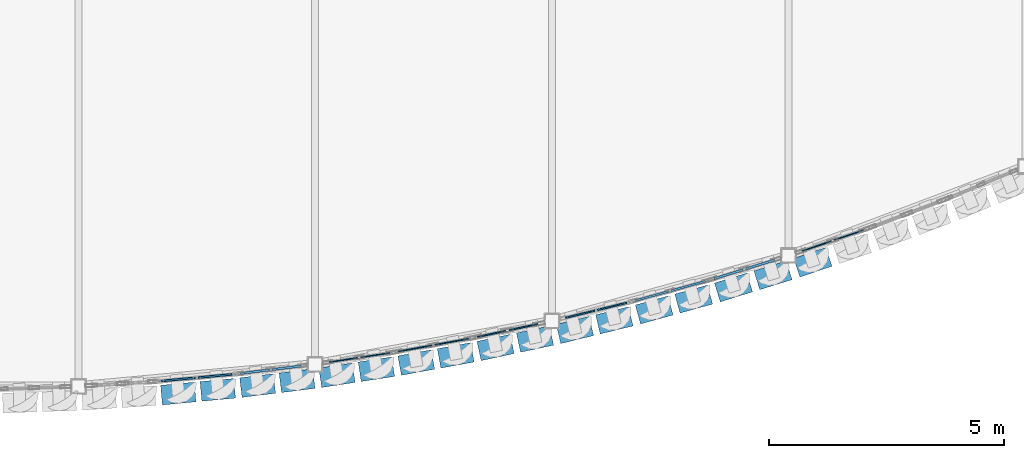
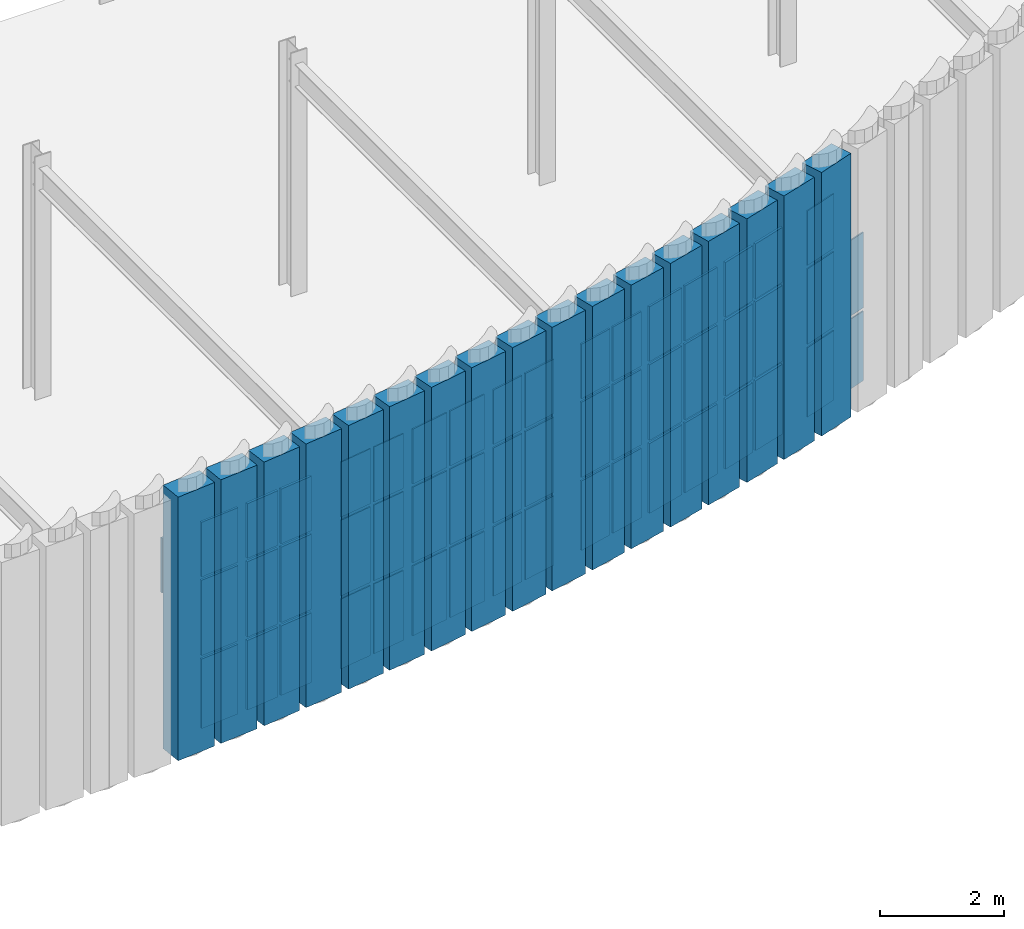
# One storey, part 90 of 126: 68 plates, 9 elements without a shape of their own.
"""IFC4 building model written with IfcOpenShell, lengths in metres."""

from ifc_helpers import new_model, si_unit, direction, frame, origin, origin_2d, place, context, subcontext, project, spatial, rectangle, extrude, material, layer, layer_set, type_object, element, aggregate, save


model = new_model("IFC4")

# Units and contexts
model_context = context("Model", 3, precision=1e-05, world=origin(), true_north=direction((0.0, 1.0)))
body_context = subcontext(model_context, "Body", "Model", "MODEL_VIEW")
ifc_project = project(units=[si_unit("LENGTHUNIT", "METRE"), si_unit("AREAUNIT", "SQUARE_METRE"), si_unit("VOLUMEUNIT", "CUBIC_METRE"), si_unit("PLANEANGLEUNIT", "RADIAN"), si_unit("MASSUNIT", "GRAM", prefix="KILO")], contexts=[model_context])

# Site, building, storey
site_placement = place(None, origin())
site = spatial("IfcSite", under=ifc_project, at=site_placement, CompositionType="ELEMENT")
building_placement = place(site_placement, origin())
building = spatial("IfcBuilding", under=site, at=building_placement, Name="Solvadek Multi-Sports Hall", CompositionType="ELEMENT")
storey_placement = place(building_placement, frame((0.0, 0.0, 9.60009765625)))
storey = spatial("IfcBuildingStorey", under=building, at=storey_placement, Name="L02", CompositionType="ELEMENT", Elevation=9.60009765625)

# Curtain wall, plates
ifc_material_1 = material(Name="Anodised aluminium", Category="aluminium")
ifc_layer_1 = layer(ifc_material_1, 0.159912109375, Name="Anodised aluminium")
ifc_layer_set_1 = layer_set([ifc_layer_1], Name="Anodised aluminium")
curtain_wall_type_1 = type_object("IfcCurtainWallType", Name="ENV-CW-143X420", PredefinedType="USERDEFINED", material=ifc_layer_set_1)
curtain_wall_1_placement = place(storey_placement, origin())
curtain_wall_1 = element("IfcCurtainWall", 1, at=curtain_wall_1_placement, inside=storey, type_object=curtain_wall_type_1, Name="L02 Crescent Curved Curtain Wall #74", ObjectType="CURTAIN WALL", PredefinedType="USERDEFINED")
ifc_material_2 = material(Name="Tempered laminated low-E glass", Category="glass")
ifc_layer_2 = layer(ifc_material_2, 0.02392578125, Name="Tempered laminated low-E glass")
ifc_layer_set_2 = layer_set([ifc_layer_2], Name="Tempered laminated low-E glass")
plate_type_1 = type_object("IfcPlateType", Name="ENV-CWP-01", PredefinedType="CURTAIN_PANEL", material=ifc_layer_set_2)
plate_1_placement = place(storey_placement, frame((102.126708984375, -12.566162109375, 0.06005859375), z_axis=(0.0, 0.0, 1.0), x_axis=(0.98860028031, 0.150563892653, 0.0)))
plate_1 = element("IfcPlate", 2, at=plate_1_placement, type_object=plate_type_1, Name="CW-26 panel 1.1", PredefinedType="CURTAIN_PANEL", context=body_context, shape_type="SweptSolid", body=[
    extrude(rectangle(XDim=0.6171875, YDim=0.02392578125, at=origin_2d()), origin(), (0.0, 0.0, 1.0), 1.3798828125),
])
plate_2_placement = place(storey_placement, frame((102.126708984375, -12.566162109375, 1.5), z_axis=(0.0, 0.0, 1.0), x_axis=(0.98860028031, 0.150563892653, 0.0)))
plate_2 = element("IfcPlate", 3, at=plate_2_placement, type_object=plate_type_1, Name="CW-26 panel 1.2", PredefinedType="CURTAIN_PANEL", context=body_context, shape_type="SweptSolid", body=[
    extrude(rectangle(XDim=0.6171875, YDim=0.02392578125, at=origin_2d()), origin(), (0.0, 0.0, 1.0), 1.493896484375),
])
plate_3_placement = place(storey_placement, frame((102.126708984375, -12.566162109375, 3.053955078125), z_axis=(0.0, 0.0, 1.0), x_axis=(0.98860028031, 0.150563892653, 0.0)))
plate_3 = element("IfcPlate", 4, at=plate_3_placement, type_object=plate_type_1, Name="CW-26 panel 1.3", PredefinedType="CURTAIN_PANEL", context=body_context, shape_type="SweptSolid", body=[
    extrude(rectangle(XDim=0.6171875, YDim=0.02392578125, at=origin_2d()), origin(), (0.0, 0.0, 1.0), 1.0859375),
])
plate_4_placement = place(storey_placement, frame((102.801025390625, -12.463623046875, 0.06005859375), z_axis=(0.0, 0.0, 1.0), x_axis=(0.98860028031, 0.150563892653, 0.0)))
plate_4 = element("IfcPlate", 5, at=plate_4_placement, type_object=plate_type_1, Name="CW-26 panel 2.1", PredefinedType="CURTAIN_PANEL", context=body_context, shape_type="SweptSolid", body=[
    extrude(rectangle(XDim=0.6171875, YDim=0.02392578125, at=origin_2d()), origin(), (0.0, 0.0, 1.0), 1.3798828125),
])
plate_5_placement = place(storey_placement, frame((102.801025390625, -12.463623046875, 1.5), z_axis=(0.0, 0.0, 1.0), x_axis=(0.98860028031, 0.150563892653, 0.0)))
plate_5 = element("IfcPlate", 6, at=plate_5_placement, type_object=plate_type_1, Name="CW-26 panel 2.2", PredefinedType="CURTAIN_PANEL", context=body_context, shape_type="SweptSolid", body=[
    extrude(rectangle(XDim=0.6171875, YDim=0.02392578125, at=origin_2d()), origin(), (0.0, 0.0, 1.0), 1.493896484375),
])
plate_6_placement = place(storey_placement, frame((102.801025390625, -12.463623046875, 3.053955078125), z_axis=(0.0, 0.0, 1.0), x_axis=(0.98860028031, 0.150563892653, 0.0)))
plate_6 = element("IfcPlate", 7, at=plate_6_placement, type_object=plate_type_1, Name="CW-26 panel 2.3", PredefinedType="CURTAIN_PANEL", context=body_context, shape_type="SweptSolid", body=[
    extrude(rectangle(XDim=0.6171875, YDim=0.02392578125, at=origin_2d()), origin(), (0.0, 0.0, 1.0), 1.0859375),
])
aggregate(curtain_wall_1, [plate_1, plate_2, plate_3, plate_4, plate_5, plate_6])

ifc_layer_3 = layer(ifc_material_1, 0.159912109375, Name="Anodised aluminium")
ifc_layer_set_3 = layer_set([ifc_layer_3], Name="Anodised aluminium")
curtain_wall_type_2 = type_object("IfcCurtainWallType", Name="ENV-CW-151X420", PredefinedType="USERDEFINED", material=ifc_layer_set_3)
curtain_wall_2_placement = place(storey_placement, origin())
curtain_wall_2 = element("IfcCurtainWall", 8, at=curtain_wall_2_placement, inside=storey, type_object=curtain_wall_type_2, Name="L02 Crescent Curved Curtain Wall #86", ObjectType="CURTAIN WALL", PredefinedType="USERDEFINED")
plate_7_placement = place(storey_placement, frame((112.198486328125, -10.1416015625, 0.06494140625), z_axis=(0.0, 0.0, 1.0), x_axis=(0.946149530611, 0.323729927138, 0.0)))
plate_7 = element("IfcPlate", 9, at=plate_7_placement, type_object=plate_type_1, Name="CW-20 panel 1.1", PredefinedType="CURTAIN_PANEL", context=body_context, shape_type="SweptSolid", body=[
    extrude(rectangle(XDim=0.6552734375, YDim=0.02392578125, at=origin_2d()), origin(), (0.0, 0.0, 1.0), 1.37255859375),
])
plate_8_placement = place(storey_placement, frame((112.198486328125, -10.1416015625, 1.50244140625), z_axis=(0.0, 0.0, 1.0), x_axis=(0.946149530611, 0.323729927138, 0.0)))
plate_8 = element("IfcPlate", 10, at=plate_8_placement, type_object=plate_type_1, Name="CW-20 panel 1.2", PredefinedType="CURTAIN_PANEL", context=body_context, shape_type="SweptSolid", body=[
    extrude(rectangle(XDim=0.6552734375, YDim=0.02392578125, at=origin_2d()), origin(), (0.0, 0.0, 1.0), 1.489013671875),
])
plate_9_placement = place(storey_placement, frame((112.198486328125, -10.1416015625, 3.056396484375), z_axis=(0.0, 0.0, 1.0), x_axis=(0.946149530611, 0.323729927138, 0.0)))
plate_9 = element("IfcPlate", 11, at=plate_9_placement, type_object=plate_type_1, Name="CW-20 panel 1.3", PredefinedType="CURTAIN_PANEL", context=body_context, shape_type="SweptSolid", body=[
    extrude(rectangle(XDim=0.6552734375, YDim=0.02392578125, at=origin_2d()), origin(), (0.0, 0.0, 1.0), 1.07861328125),
])
plate_10_placement = place(storey_placement, frame((112.880126953125, -9.908447265625, 0.06494140625), z_axis=(0.0, 0.0, 1.0), x_axis=(0.946149530611, 0.323729927138, 0.0)))
plate_10 = element("IfcPlate", 12, at=plate_10_placement, type_object=plate_type_1, Name="CW-20 panel 2.1", PredefinedType="CURTAIN_PANEL", context=body_context, shape_type="SweptSolid", body=[
    extrude(rectangle(XDim=0.6552734375, YDim=0.02392578125, at=origin_2d()), origin(), (0.0, 0.0, 1.0), 1.37255859375),
])
plate_11_placement = place(storey_placement, frame((112.880126953125, -9.908447265625, 1.50244140625), z_axis=(0.0, 0.0, 1.0), x_axis=(0.946149530611, 0.323729927138, 0.0)))
plate_11 = element("IfcPlate", 13, at=plate_11_placement, type_object=plate_type_1, Name="CW-20 panel 2.2", PredefinedType="CURTAIN_PANEL", context=body_context, shape_type="SweptSolid", body=[
    extrude(rectangle(XDim=0.6552734375, YDim=0.02392578125, at=origin_2d()), origin(), (0.0, 0.0, 1.0), 1.489013671875),
])
aggregate(curtain_wall_2, [plate_7, plate_8, plate_9, plate_10, plate_11])

ifc_layer_4 = layer(ifc_material_1, 0.159912109375, Name="Anodised aluminium")
ifc_layer_set_4 = layer_set([ifc_layer_4], Name="Anodised aluminium")
curtain_wall_type_3 = type_object("IfcCurtainWallType", Name="ENV-CW-165X420", PredefinedType="USERDEFINED", material=ifc_layer_set_4)
curtain_wall_3_placement = place(storey_placement, origin())
curtain_wall_3 = element("IfcCurtainWall", 14, at=curtain_wall_3_placement, inside=storey, type_object=curtain_wall_type_3, Name="L02 Crescent Curved Curtain Wall #76", ObjectType="CURTAIN WALL", PredefinedType="USERDEFINED")
ifc_layer_5 = layer(ifc_material_2, 0.028076171875, Name="Tempered laminated low-E glass")
ifc_layer_set_5 = layer_set([ifc_layer_5], Name="Tempered laminated low-E glass")
plate_type_2 = type_object("IfcPlateType", Name="ENV-CWP-02", PredefinedType="CURTAIN_PANEL", material=ifc_layer_set_5)
plate_12_placement = place(storey_placement, frame((103.650634765625, -12.320556640625, 0.06005859375), z_axis=(0.0, 0.0, 1.0), x_axis=(0.983776557461, 0.17939811869, 0.0)))
plate_12 = element("IfcPlate", 15, at=plate_12_placement, type_object=plate_type_2, Name="CW-25 panel 1.1", PredefinedType="CURTAIN_PANEL", context=body_context, shape_type="SweptSolid", body=[
    extrude(rectangle(XDim=0.726318359375, YDim=0.028076171875, at=origin_2d()), origin(), (0.0, 0.0, 1.0), 1.3798828125),
])
plate_13_placement = place(storey_placement, frame((103.650634765625, -12.320556640625, 1.5), z_axis=(0.0, 0.0, 1.0), x_axis=(0.983776557461, 0.17939811869, 0.0)))
plate_13 = element("IfcPlate", 16, at=plate_13_placement, type_object=plate_type_2, Name="CW-25 panel 1.2", PredefinedType="CURTAIN_PANEL", context=body_context, shape_type="SweptSolid", body=[
    extrude(rectangle(XDim=0.726318359375, YDim=0.028076171875, at=origin_2d()), origin(), (0.0, 0.0, 1.0), 1.493896484375),
])
plate_14_placement = place(storey_placement, frame((103.650634765625, -12.320556640625, 3.053955078125), z_axis=(0.0, 0.0, 1.0), x_axis=(0.983776557461, 0.17939811869, 0.0)))
plate_14 = element("IfcPlate", 17, at=plate_14_placement, type_object=plate_type_2, Name="CW-25 panel 1.3", PredefinedType="CURTAIN_PANEL", context=body_context, shape_type="SweptSolid", body=[
    extrude(rectangle(XDim=0.726318359375, YDim=0.028076171875, at=origin_2d()), origin(), (0.0, 0.0, 1.0), 1.0859375),
])
plate_15_placement = place(storey_placement, frame((104.42919921875, -12.1787109375, 0.06005859375), z_axis=(0.0, 0.0, 1.0), x_axis=(0.983776557461, 0.17939811869, 0.0)))
plate_15 = element("IfcPlate", 18, at=plate_15_placement, type_object=plate_type_2, Name="CW-25 panel 2.1", PredefinedType="CURTAIN_PANEL", context=body_context, shape_type="SweptSolid", body=[
    extrude(rectangle(XDim=0.726318359375, YDim=0.028076171875, at=origin_2d()), origin(), (0.0, 0.0, 1.0), 1.3798828125),
])
plate_16_placement = place(storey_placement, frame((104.42919921875, -12.1787109375, 1.5), z_axis=(0.0, 0.0, 1.0), x_axis=(0.983776557461, 0.17939811869, 0.0)))
plate_16 = element("IfcPlate", 19, at=plate_16_placement, type_object=plate_type_2, Name="CW-25 panel 2.2", PredefinedType="CURTAIN_PANEL", context=body_context, shape_type="SweptSolid", body=[
    extrude(rectangle(XDim=0.726318359375, YDim=0.028076171875, at=origin_2d()), origin(), (0.0, 0.0, 1.0), 1.493896484375),
])
plate_17_placement = place(storey_placement, frame((104.42919921875, -12.1787109375, 3.053955078125), z_axis=(0.0, 0.0, 1.0), x_axis=(0.983776557461, 0.17939811869, 0.0)))
plate_17 = element("IfcPlate", 20, at=plate_17_placement, type_object=plate_type_2, Name="CW-25 panel 2.3", PredefinedType="CURTAIN_PANEL", context=body_context, shape_type="SweptSolid", body=[
    extrude(rectangle(XDim=0.726318359375, YDim=0.028076171875, at=origin_2d()), origin(), (0.0, 0.0, 1.0), 1.0859375),
])
aggregate(curtain_wall_3, [plate_12, plate_13, plate_14, plate_15, plate_16, plate_17])

ifc_layer_6 = layer(ifc_material_1, 0.159912109375, Name="Anodised aluminium")
ifc_layer_set_6 = layer_set([ifc_layer_6], Name="Anodised aluminium")
curtain_wall_type_4 = type_object("IfcCurtainWallType", Name="ENV-CW-145X420", PredefinedType="USERDEFINED", material=ifc_layer_set_6)
curtain_wall_4_placement = place(storey_placement, origin())
curtain_wall_4 = element("IfcCurtainWall", 21, at=curtain_wall_4_placement, inside=storey, type_object=curtain_wall_type_4, Name="L02 Crescent Curved Curtain Wall #78", ObjectType="CURTAIN WALL", PredefinedType="USERDEFINED")
ifc_layer_7 = layer(ifc_material_2, 0.031982421875, Name="Tempered laminated low-E glass")
ifc_layer_set_7 = layer_set([ifc_layer_7], Name="Tempered laminated low-E glass")
plate_type_3 = type_object("IfcPlateType", Name="ENV-CWP-03", PredefinedType="CURTAIN_PANEL", material=ifc_layer_set_7)
plate_18_placement = place(storey_placement, frame((105.280517578125, -12.01123046875, 0.06494140625), z_axis=(0.0, 0.0, 1.0), x_axis=(0.978074507403, 0.208255271166, 0.0)))
plate_18 = element("IfcPlate", 22, at=plate_18_placement, type_object=plate_type_3, Name="CW-24 panel 1.1", PredefinedType="CURTAIN_PANEL", context=body_context, shape_type="SweptSolid", body=[
    extrude(rectangle(XDim=0.618896484375, YDim=0.031982421875, at=origin_2d()), origin(), (0.0, 0.0, 1.0), 1.37255859375),
])
plate_19_placement = place(storey_placement, frame((105.280517578125, -12.01123046875, 1.50244140625), z_axis=(0.0, 0.0, 1.0), x_axis=(0.978074507403, 0.208255271166, 0.0)))
plate_19 = element("IfcPlate", 23, at=plate_19_placement, type_object=plate_type_3, Name="CW-24 panel 1.2", PredefinedType="CURTAIN_PANEL", context=body_context, shape_type="SweptSolid", body=[
    extrude(rectangle(XDim=0.618896484375, YDim=0.031982421875, at=origin_2d()), origin(), (0.0, 0.0, 1.0), 1.489013671875),
])
plate_20_placement = place(storey_placement, frame((105.280517578125, -12.01123046875, 3.056396484375), z_axis=(0.0, 0.0, 1.0), x_axis=(0.978074507403, 0.208255271166, 0.0)))
plate_20 = element("IfcPlate", 24, at=plate_20_placement, type_object=plate_type_3, Name="CW-24 panel 1.3", PredefinedType="CURTAIN_PANEL", context=body_context, shape_type="SweptSolid", body=[
    extrude(rectangle(XDim=0.618896484375, YDim=0.031982421875, at=origin_2d()), origin(), (0.0, 0.0, 1.0), 1.07861328125),
])
plate_21_placement = place(storey_placement, frame((105.9541015625, -11.86767578125, 0.06494140625), z_axis=(0.0, 0.0, 1.0), x_axis=(0.978074507403, 0.208255271166, 0.0)))
plate_21 = element("IfcPlate", 25, at=plate_21_placement, type_object=plate_type_3, Name="CW-24 panel 2.1", PredefinedType="CURTAIN_PANEL", context=body_context, shape_type="SweptSolid", body=[
    extrude(rectangle(XDim=0.618896484375, YDim=0.031982421875, at=origin_2d()), origin(), (0.0, 0.0, 1.0), 1.37255859375),
])
plate_22_placement = place(storey_placement, frame((105.9541015625, -11.86767578125, 1.50244140625), z_axis=(0.0, 0.0, 1.0), x_axis=(0.978074507403, 0.208255271166, 0.0)))
plate_22 = element("IfcPlate", 26, at=plate_22_placement, type_object=plate_type_3, Name="CW-24 panel 2.2", PredefinedType="CURTAIN_PANEL", context=body_context, shape_type="SweptSolid", body=[
    extrude(rectangle(XDim=0.618896484375, YDim=0.031982421875, at=origin_2d()), origin(), (0.0, 0.0, 1.0), 1.489013671875),
])
plate_23_placement = place(storey_placement, frame((105.9541015625, -11.86767578125, 3.056396484375), z_axis=(0.0, 0.0, 1.0), x_axis=(0.978074507403, 0.208255271166, 0.0)))
plate_23 = element("IfcPlate", 27, at=plate_23_placement, type_object=plate_type_3, Name="CW-24 panel 2.3", PredefinedType="CURTAIN_PANEL", context=body_context, shape_type="SweptSolid", body=[
    extrude(rectangle(XDim=0.618896484375, YDim=0.031982421875, at=origin_2d()), origin(), (0.0, 0.0, 1.0), 1.07861328125),
])
aggregate(curtain_wall_4, [plate_18, plate_19, plate_20, plate_21, plate_22, plate_23])

ifc_layer_8 = layer(ifc_material_1, 0.159912109375, Name="Anodised aluminium")
ifc_layer_set_8 = layer_set([ifc_layer_8], Name="Anodised aluminium")
curtain_wall_type_5 = type_object("IfcCurtainWallType", Name="ENV-CW-146X420", PredefinedType="USERDEFINED", material=ifc_layer_set_8)
curtain_wall_5_placement = place(storey_placement, origin())
curtain_wall_5 = element("IfcCurtainWall", 28, at=curtain_wall_5_placement, inside=storey, type_object=curtain_wall_type_5, Name="L02 Crescent Curved Curtain Wall #80", ObjectType="CURTAIN WALL", PredefinedType="USERDEFINED")
ifc_layer_9 = layer(ifc_material_2, 0.035888671875, Name="Tempered laminated low-E glass")
ifc_layer_set_9 = layer_set([ifc_layer_9], Name="Tempered laminated low-E glass")
plate_type_4 = type_object("IfcPlateType", Name="ENV-CWP-04", PredefinedType="CURTAIN_PANEL", material=ifc_layer_set_9)
plate_24_placement = place(storey_placement, frame((107.162109375, -11.591796875, 0.06494140625), z_axis=(0.0, 0.0, 1.0), x_axis=(0.971469914267, 0.237162825236, 0.0)))
plate_24 = element("IfcPlate", 29, at=plate_24_placement, type_object=plate_type_4, Name="CW-23 panel 1.1", PredefinedType="CURTAIN_PANEL", context=body_context, shape_type="SweptSolid", body=[
    extrude(rectangle(XDim=0.6396484375, YDim=0.035888671875, at=origin_2d()), origin(), (0.0, 0.0, 1.0), 1.37255859375),
])
plate_25_placement = place(storey_placement, frame((107.162109375, -11.591796875, 1.50244140625), z_axis=(0.0, 0.0, 1.0), x_axis=(0.971469914267, 0.237162825236, 0.0)))
plate_25 = element("IfcPlate", 30, at=plate_25_placement, type_object=plate_type_4, Name="CW-23 panel 1.2", PredefinedType="CURTAIN_PANEL", context=body_context, shape_type="SweptSolid", body=[
    extrude(rectangle(XDim=0.6396484375, YDim=0.035888671875, at=origin_2d()), origin(), (0.0, 0.0, 1.0), 1.489013671875),
])
plate_26_placement = place(storey_placement, frame((107.162109375, -11.591796875, 3.056396484375), z_axis=(0.0, 0.0, 1.0), x_axis=(0.971469914267, 0.237162825236, 0.0)))
plate_26 = element("IfcPlate", 31, at=plate_26_placement, type_object=plate_type_4, Name="CW-23 panel 1.3", PredefinedType="CURTAIN_PANEL", context=body_context, shape_type="SweptSolid", body=[
    extrude(rectangle(XDim=0.6396484375, YDim=0.035888671875, at=origin_2d()), origin(), (0.0, 0.0, 1.0), 1.07861328125),
])
plate_27_placement = place(storey_placement, frame((107.841796875, -11.42578125, 0.06494140625), z_axis=(0.0, 0.0, 1.0), x_axis=(0.971469914267, 0.237162825236, 0.0)))
plate_27 = element("IfcPlate", 32, at=plate_27_placement, type_object=plate_type_4, Name="CW-23 panel 2.1", PredefinedType="CURTAIN_PANEL", context=body_context, shape_type="SweptSolid", body=[
    extrude(rectangle(XDim=0.6396484375, YDim=0.035888671875, at=origin_2d()), origin(), (0.0, 0.0, 1.0), 1.37255859375),
])
plate_28_placement = place(storey_placement, frame((107.841796875, -11.42578125, 1.50244140625), z_axis=(0.0, 0.0, 1.0), x_axis=(0.971469914267, 0.237162825236, 0.0)))
plate_28 = element("IfcPlate", 33, at=plate_28_placement, type_object=plate_type_4, Name="CW-23 panel 2.2", PredefinedType="CURTAIN_PANEL", context=body_context, shape_type="SweptSolid", body=[
    extrude(rectangle(XDim=0.6396484375, YDim=0.035888671875, at=origin_2d()), origin(), (0.0, 0.0, 1.0), 1.489013671875),
])
plate_29_placement = place(storey_placement, frame((107.841796875, -11.42578125, 3.056396484375), z_axis=(0.0, 0.0, 1.0), x_axis=(0.971469914267, 0.237162825236, 0.0)))
plate_29 = element("IfcPlate", 34, at=plate_29_placement, type_object=plate_type_4, Name="CW-23 panel 2.3", PredefinedType="CURTAIN_PANEL", context=body_context, shape_type="SweptSolid", body=[
    extrude(rectangle(XDim=0.6396484375, YDim=0.035888671875, at=origin_2d()), origin(), (0.0, 0.0, 1.0), 1.07861328125),
])
aggregate(curtain_wall_5, [plate_24, plate_25, plate_26, plate_27, plate_28, plate_29])

ifc_layer_10 = layer(ifc_material_1, 0.159912109375, Name="Anodised aluminium")
ifc_layer_set_10 = layer_set([ifc_layer_10], Name="Anodised aluminium")
curtain_wall_type_6 = type_object("IfcCurtainWallType", Name="ENV-CW-163X420", PredefinedType="USERDEFINED", material=ifc_layer_set_10)
curtain_wall_6_placement = place(storey_placement, origin())
curtain_wall_6 = element("IfcCurtainWall", 35, at=curtain_wall_6_placement, inside=storey, type_object=curtain_wall_type_6, Name="L02 Crescent Curved Curtain Wall #70", ObjectType="CURTAIN WALL", PredefinedType="USERDEFINED")
ifc_layer_11 = layer(ifc_material_2, 0.0419921875, Name="Tempered laminated low-E glass")
ifc_layer_set_11 = layer_set([ifc_layer_11], Name="Tempered laminated low-E glass")
plate_type_5 = type_object("IfcPlateType", Name="ENV-CWP-05", PredefinedType="CURTAIN_PANEL", material=ifc_layer_set_11)
plate_30_placement = place(storey_placement, frame((98.60986328125, -12.979248046875, 3.056396484375), z_axis=(0.0, 0.0, 1.0), x_axis=(0.995685120678, 0.092796230852, 0.0)))
plate_30 = element("IfcPlate", 36, at=plate_30_placement, type_object=plate_type_5, Name="CW-15 panel 1.3", PredefinedType="CURTAIN_PANEL", context=body_context, shape_type="SweptSolid", body=[
    extrude(rectangle(XDim=0.7236328125, YDim=0.0419921875, at=origin_2d()), origin(), (0.0, 0.0, 1.0), 1.07861328125),
])
plate_31_placement = place(storey_placement, frame((99.39013671875, -12.906494140625, 0.06494140625), z_axis=(0.0, 0.0, 1.0), x_axis=(0.995685120678, 0.092796230852, 0.0)))
plate_31 = element("IfcPlate", 37, at=plate_31_placement, type_object=plate_type_5, Name="CW-15 panel 2.1", PredefinedType="CURTAIN_PANEL", context=body_context, shape_type="SweptSolid", body=[
    extrude(rectangle(XDim=0.7236328125, YDim=0.0419921875, at=origin_2d()), origin(), (0.0, 0.0, 1.0), 1.37255859375),
])
plate_32_placement = place(storey_placement, frame((99.39013671875, -12.906494140625, 1.50244140625), z_axis=(0.0, 0.0, 1.0), x_axis=(0.995685120678, 0.092796230852, 0.0)))
plate_32 = element("IfcPlate", 38, at=plate_32_placement, type_object=plate_type_5, Name="CW-15 panel 2.2", PredefinedType="CURTAIN_PANEL", context=body_context, shape_type="SweptSolid", body=[
    extrude(rectangle(XDim=0.7236328125, YDim=0.0419921875, at=origin_2d()), origin(), (0.0, 0.0, 1.0), 1.489013671875),
])
plate_33_placement = place(storey_placement, frame((99.39013671875, -12.906494140625, 3.056396484375), z_axis=(0.0, 0.0, 1.0), x_axis=(0.995685120678, 0.092796230852, 0.0)))
plate_33 = element("IfcPlate", 39, at=plate_33_placement, type_object=plate_type_5, Name="CW-15 panel 2.3", PredefinedType="CURTAIN_PANEL", context=body_context, shape_type="SweptSolid", body=[
    extrude(rectangle(XDim=0.7236328125, YDim=0.0419921875, at=origin_2d()), origin(), (0.0, 0.0, 1.0), 1.07861328125),
])
aggregate(curtain_wall_6, [plate_30, plate_31, plate_32, plate_33])

ifc_layer_12 = layer(ifc_material_1, 0.159912109375, Name="Anodised aluminium")
ifc_layer_set_12 = layer_set([ifc_layer_12], Name="Anodised aluminium")
curtain_wall_type_7 = type_object("IfcCurtainWallType", Name="ENV-CW-168X420", PredefinedType="USERDEFINED", material=ifc_layer_set_12)
curtain_wall_7_placement = place(storey_placement, origin())
curtain_wall_7 = element("IfcCurtainWall", 40, at=curtain_wall_7_placement, inside=storey, type_object=curtain_wall_type_7, Name="L02 Crescent Curved Curtain Wall #82", ObjectType="CURTAIN WALL", PredefinedType="USERDEFINED")
plate_34_placement = place(storey_placement, frame((108.68896484375, -11.20458984375, 0.06005859375), z_axis=(0.0, 0.0, 1.0), x_axis=(0.963977908441, 0.265982315271, 0.0)))
plate_34 = element("IfcPlate", 41, at=plate_34_placement, type_object=plate_type_5, Name="CW-22 panel 1.1", PredefinedType="CURTAIN_PANEL", context=body_context, shape_type="SweptSolid", body=[
    extrude(rectangle(XDim=0.75146484375, YDim=0.0419921875, at=origin_2d()), origin(), (0.0, 0.0, 1.0), 1.3798828125),
])
plate_35_placement = place(storey_placement, frame((108.68896484375, -11.20458984375, 1.5), z_axis=(0.0, 0.0, 1.0), x_axis=(0.963977908441, 0.265982315271, 0.0)))
plate_35 = element("IfcPlate", 42, at=plate_35_placement, type_object=plate_type_5, Name="CW-22 panel 1.2", PredefinedType="CURTAIN_PANEL", context=body_context, shape_type="SweptSolid", body=[
    extrude(rectangle(XDim=0.75146484375, YDim=0.0419921875, at=origin_2d()), origin(), (0.0, 0.0, 1.0), 1.493896484375),
])
plate_36_placement = place(storey_placement, frame((108.68896484375, -11.20458984375, 3.053955078125), z_axis=(0.0, 0.0, 1.0), x_axis=(0.963977908441, 0.265982315271, 0.0)))
plate_36 = element("IfcPlate", 43, at=plate_36_placement, type_object=plate_type_5, Name="CW-22 panel 1.3", PredefinedType="CURTAIN_PANEL", context=body_context, shape_type="SweptSolid", body=[
    extrude(rectangle(XDim=0.75146484375, YDim=0.0419921875, at=origin_2d()), origin(), (0.0, 0.0, 1.0), 1.0859375),
])
plate_37_placement = place(storey_placement, frame((109.47119140625, -10.98876953125, 0.06005859375), z_axis=(0.0, 0.0, 1.0), x_axis=(0.963977908441, 0.265982315271, 0.0)))
plate_37 = element("IfcPlate", 44, at=plate_37_placement, type_object=plate_type_5, Name="CW-22 panel 2.1", PredefinedType="CURTAIN_PANEL", context=body_context, shape_type="SweptSolid", body=[
    extrude(rectangle(XDim=0.75146484375, YDim=0.0419921875, at=origin_2d()), origin(), (0.0, 0.0, 1.0), 1.3798828125),
])
plate_38_placement = place(storey_placement, frame((109.47119140625, -10.98876953125, 1.5), z_axis=(0.0, 0.0, 1.0), x_axis=(0.963977908441, 0.265982315271, 0.0)))
plate_38 = element("IfcPlate", 45, at=plate_38_placement, type_object=plate_type_5, Name="CW-22 panel 2.2", PredefinedType="CURTAIN_PANEL", context=body_context, shape_type="SweptSolid", body=[
    extrude(rectangle(XDim=0.75146484375, YDim=0.0419921875, at=origin_2d()), origin(), (0.0, 0.0, 1.0), 1.493896484375),
])
plate_39_placement = place(storey_placement, frame((109.47119140625, -10.98876953125, 3.053955078125), z_axis=(0.0, 0.0, 1.0), x_axis=(0.963977908441, 0.265982315271, 0.0)))
plate_39 = element("IfcPlate", 46, at=plate_39_placement, type_object=plate_type_5, Name="CW-22 panel 2.3", PredefinedType="CURTAIN_PANEL", context=body_context, shape_type="SweptSolid", body=[
    extrude(rectangle(XDim=0.75146484375, YDim=0.0419921875, at=origin_2d()), origin(), (0.0, 0.0, 1.0), 1.0859375),
])
aggregate(curtain_wall_7, [plate_34, plate_35, plate_36, plate_37, plate_38, plate_39])

ifc_layer_13 = layer(ifc_material_1, 0.159912109375, Name="Anodised aluminium")
ifc_layer_set_13 = layer_set([ifc_layer_13], Name="Anodised aluminium")
curtain_wall_type_8 = type_object("IfcCurtainWallType", Name="ENV-CW-142X420", PredefinedType="USERDEFINED", material=ifc_layer_set_13)
curtain_wall_8_placement = place(storey_placement, origin())
curtain_wall_8 = element("IfcCurtainWall", 47, at=curtain_wall_8_placement, inside=storey, type_object=curtain_wall_type_8, Name="L02 Crescent Curved Curtain Wall #72", ObjectType="CURTAIN WALL", PredefinedType="USERDEFINED")
ifc_layer_14 = layer(ifc_material_2, 0.048095703125, Name="Tempered laminated low-E glass")
ifc_layer_set_14 = layer_set([ifc_layer_14], Name="Tempered laminated low-E glass")
plate_type_6 = type_object("IfcPlateType", Name="ENV-CWP-06", PredefinedType="CURTAIN_PANEL", material=ifc_layer_set_14)
plate_40_placement = place(storey_placement, frame((100.23779296875, -12.81591796875, 0.06494140625), z_axis=(0.0, 0.0, 1.0), x_axis=(0.992569244901, 0.12168111635, 0.0)))
plate_40 = element("IfcPlate", 48, at=plate_40_placement, type_object=plate_type_6, Name="CW-27 panel 1.1", PredefinedType="CURTAIN_PANEL", context=body_context, shape_type="SweptSolid", body=[
    extrude(rectangle(XDim=0.621337890625, YDim=0.048095703125, at=origin_2d()), origin(), (0.0, 0.0, 1.0), 1.37255859375),
])
plate_41_placement = place(storey_placement, frame((100.23779296875, -12.81591796875, 1.50244140625), z_axis=(0.0, 0.0, 1.0), x_axis=(0.992569244901, 0.12168111635, 0.0)))
plate_41 = element("IfcPlate", 49, at=plate_41_placement, type_object=plate_type_6, Name="CW-27 panel 1.2", PredefinedType="CURTAIN_PANEL", context=body_context, shape_type="SweptSolid", body=[
    extrude(rectangle(XDim=0.621337890625, YDim=0.048095703125, at=origin_2d()), origin(), (0.0, 0.0, 1.0), 1.489013671875),
])
plate_42_placement = place(storey_placement, frame((100.23779296875, -12.81591796875, 3.056396484375), z_axis=(0.0, 0.0, 1.0), x_axis=(0.992569244901, 0.12168111635, 0.0)))
plate_42 = element("IfcPlate", 50, at=plate_42_placement, type_object=plate_type_6, Name="CW-27 panel 1.3", PredefinedType="CURTAIN_PANEL", context=body_context, shape_type="SweptSolid", body=[
    extrude(rectangle(XDim=0.621337890625, YDim=0.048095703125, at=origin_2d()), origin(), (0.0, 0.0, 1.0), 1.07861328125),
])
plate_43_placement = place(storey_placement, frame((100.913818359375, -12.73291015625, 0.06494140625), z_axis=(0.0, 0.0, 1.0), x_axis=(0.992569244901, 0.12168111635, 0.0)))
plate_43 = element("IfcPlate", 51, at=plate_43_placement, type_object=plate_type_6, Name="CW-27 panel 2.1", PredefinedType="CURTAIN_PANEL", context=body_context, shape_type="SweptSolid", body=[
    extrude(rectangle(XDim=0.621337890625, YDim=0.048095703125, at=origin_2d()), origin(), (0.0, 0.0, 1.0), 1.37255859375),
])
plate_44_placement = place(storey_placement, frame((100.913818359375, -12.73291015625, 1.50244140625), z_axis=(0.0, 0.0, 1.0), x_axis=(0.992569244901, 0.12168111635, 0.0)))
plate_44 = element("IfcPlate", 52, at=plate_44_placement, type_object=plate_type_6, Name="CW-27 panel 2.2", PredefinedType="CURTAIN_PANEL", context=body_context, shape_type="SweptSolid", body=[
    extrude(rectangle(XDim=0.621337890625, YDim=0.048095703125, at=origin_2d()), origin(), (0.0, 0.0, 1.0), 1.489013671875),
])
plate_45_placement = place(storey_placement, frame((100.913818359375, -12.73291015625, 3.056396484375), z_axis=(0.0, 0.0, 1.0), x_axis=(0.992569244901, 0.12168111635, 0.0)))
plate_45 = element("IfcPlate", 53, at=plate_45_placement, type_object=plate_type_6, Name="CW-27 panel 2.3", PredefinedType="CURTAIN_PANEL", context=body_context, shape_type="SweptSolid", body=[
    extrude(rectangle(XDim=0.621337890625, YDim=0.048095703125, at=origin_2d()), origin(), (0.0, 0.0, 1.0), 1.07861328125),
])
aggregate(curtain_wall_8, [plate_40, plate_41, plate_42, plate_43, plate_44, plate_45])

ifc_layer_15 = layer(ifc_material_1, 0.159912109375, Name="Anodised aluminium")
ifc_layer_set_15 = layer_set([ifc_layer_15], Name="Anodised aluminium")
curtain_wall_type_9 = type_object("IfcCurtainWallType", Name="ENV-CW-149X420", PredefinedType="USERDEFINED", material=ifc_layer_set_15)
curtain_wall_9_placement = place(storey_placement, origin())
curtain_wall_9 = element("IfcCurtainWall", 54, at=curtain_wall_9_placement, inside=storey, type_object=curtain_wall_type_9, Name="L02 Crescent Curved Curtain Wall #84", ObjectType="CURTAIN WALL", PredefinedType="USERDEFINED")
plate_46_placement = place(storey_placement, frame((110.31982421875, -10.74169921875, 0.06005859375), z_axis=(0.0, 0.0, 1.0), x_axis=(0.955521483915, 0.294921504432, 0.0)))
plate_46 = element("IfcPlate", 55, at=plate_46_placement, type_object=plate_type_6, Name="CW-21 panel 1.1", PredefinedType="CURTAIN_PANEL", context=body_context, shape_type="SweptSolid", body=[
    extrude(rectangle(XDim=0.646484375, YDim=0.048095703125, at=origin_2d()), origin(), (0.0, 0.0, 1.0), 1.3798828125),
])
plate_47_placement = place(storey_placement, frame((110.31982421875, -10.74169921875, 1.5), z_axis=(0.0, 0.0, 1.0), x_axis=(0.955521483915, 0.294921504432, 0.0)))
plate_47 = element("IfcPlate", 56, at=plate_47_placement, type_object=plate_type_6, Name="CW-21 panel 1.2", PredefinedType="CURTAIN_PANEL", context=body_context, shape_type="SweptSolid", body=[
    extrude(rectangle(XDim=0.646484375, YDim=0.048095703125, at=origin_2d()), origin(), (0.0, 0.0, 1.0), 1.493896484375),
])
plate_48_placement = place(storey_placement, frame((110.31982421875, -10.74169921875, 3.053955078125), z_axis=(0.0, 0.0, 1.0), x_axis=(0.955521483915, 0.294921504432, 0.0)))
plate_48 = element("IfcPlate", 57, at=plate_48_placement, type_object=plate_type_6, Name="CW-21 panel 1.3", PredefinedType="CURTAIN_PANEL", context=body_context, shape_type="SweptSolid", body=[
    extrude(rectangle(XDim=0.646484375, YDim=0.048095703125, at=origin_2d()), origin(), (0.0, 0.0, 1.0), 1.0859375),
])
plate_49_placement = place(storey_placement, frame((110.999755859375, -10.53173828125, 0.06005859375), z_axis=(0.0, 0.0, 1.0), x_axis=(0.955521483915, 0.294921504432, 0.0)))
plate_49 = element("IfcPlate", 58, at=plate_49_placement, type_object=plate_type_6, Name="CW-21 panel 2.1", PredefinedType="CURTAIN_PANEL", context=body_context, shape_type="SweptSolid", body=[
    extrude(rectangle(XDim=0.646484375, YDim=0.048095703125, at=origin_2d()), origin(), (0.0, 0.0, 1.0), 1.3798828125),
])
plate_50_placement = place(storey_placement, frame((110.999755859375, -10.53173828125, 1.5), z_axis=(0.0, 0.0, 1.0), x_axis=(0.955521483915, 0.294921504432, 0.0)))
plate_50 = element("IfcPlate", 59, at=plate_50_placement, type_object=plate_type_6, Name="CW-21 panel 2.2", PredefinedType="CURTAIN_PANEL", context=body_context, shape_type="SweptSolid", body=[
    extrude(rectangle(XDim=0.646484375, YDim=0.048095703125, at=origin_2d()), origin(), (0.0, 0.0, 1.0), 1.493896484375),
])
plate_51_placement = place(storey_placement, frame((110.999755859375, -10.53173828125, 3.053955078125), z_axis=(0.0, 0.0, 1.0), x_axis=(0.955521483915, 0.294921504432, 0.0)))
plate_51 = element("IfcPlate", 60, at=plate_51_placement, type_object=plate_type_6, Name="CW-21 panel 2.3", PredefinedType="CURTAIN_PANEL", context=body_context, shape_type="SweptSolid", body=[
    extrude(rectangle(XDim=0.646484375, YDim=0.048095703125, at=origin_2d()), origin(), (0.0, 0.0, 1.0), 1.0859375),
])
aggregate(curtain_wall_9, [plate_46, plate_47, plate_48, plate_49, plate_50, plate_51])

# Plates
ifc_material_3 = material(Name="Perforated champagne-bronze anodised aluminium", Category="aluminium")
ifc_layer_16 = layer(ifc_material_3, 0.419921875, Name="Perforated champagne-bronze anodised aluminium")
ifc_layer_set_16 = layer_set([ifc_layer_16], Name="Perforated champagne-bronze anodised aluminium")
plate_type_7 = type_object("IfcPlateType", Name="ENV-FLT-520", PredefinedType="USERDEFINED", material=ifc_layer_set_16)
for number, where, z_axis, x_axis, name in (
    (61, (98.60791015625, -13.28076171875, 0.0400390625), (0.0, 0.0, 1.0), (0.995683656408, 0.092811940833, 0.0), "L02 Half-Cylinder Colonnade Flute #139"),
    (62, (99.44775390625, -13.202392578125, 0.0400390625), (0.0, 0.0, 1.0), (0.995683656408, 0.092811940833, 0.0), "L02 Half-Cylinder Colonnade Flute #140"),
    (63, (100.29638671875, -13.11083984375, 0.0400390625), (0.0, 0.0, 1.0), (0.992573145786, 0.121649292087, 0.0), "L02 Half-Cylinder Colonnade Flute #143"),
    (64, (101.136474609375, -13.0078125, 0.0400390625), (0.0, 0.0, 1.0), (0.992573145786, 0.121649292087, 0.0), "L02 Half-Cylinder Colonnade Flute #144"),
    (65, (101.985107421875, -12.89111328125, 0.0400390625), (0.0, 0.0, 1.0), (0.988605895809, 0.15052701675, 0.0), "L02 Half-Cylinder Colonnade Flute #147"),
    (66, (102.8251953125, -12.763427734375, 0.0400390625), (0.0, 0.0, 1.0), (0.988605895809, 0.15052701675, 0.0), "L02 Half-Cylinder Colonnade Flute #148"),
    (67, (103.673828125, -12.621337890625, 0.0400390625), (0.0, 0.0, 1.0), (0.983772323835, 0.179421333339, 0.0), "L02 Half-Cylinder Colonnade Flute #151"),
    (68, (104.513916015625, -12.468017578125, 0.0400390625), (0.0, 0.0, 1.0), (0.983772323835, 0.179421333339, 0.0), "L02 Half-Cylinder Colonnade Flute #152"),
    (69, (105.362548828125, -12.30029296875, 0.0400390625), (0.0, 0.0, 1.0), (0.978075914323, 0.208248663432, 0.0), "L02 Half-Cylinder Colonnade Flute #155"),
    (70, (106.202392578125, -12.12158203125, 0.0400390625), (0.0, 0.0, 1.0), (0.978075914323, 0.208248663432, 0.0), "L02 Half-Cylinder Colonnade Flute #156"),
    (71, (107.051025390625, -11.927734375, 0.0400390625), (0.0, 0.0, 1.0), (0.971474540489, 0.237143874435, 0.0), "L02 Half-Cylinder Colonnade Flute #159"),
    (72, (107.89111328125, -11.72265625, 0.0400390625), (0.0, 0.0, 1.0), (0.971474540489, 0.237143874435, 0.0), "L02 Half-Cylinder Colonnade Flute #160"),
    (73, (108.73974609375, -11.501953125, 0.0400390625), (0.0, 0.0, 1.0), (0.963970297161, 0.266009898671, 0.0), "L02 Half-Cylinder Colonnade Flute #163"),
    (74, (109.579833984375, -11.27001953125, 0.0400390625), (0.0, 0.0, 1.0), (0.963970297161, 0.266009898671, 0.0), "L02 Half-Cylinder Colonnade Flute #164"),
    (75, (110.428466796875, -11.02197265625, 0.0400390625), (0.0, 0.0, 1.0), (0.955526555938, 0.294905070993, 0.0), "L02 Half-Cylinder Colonnade Flute #167"),
    (76, (111.2685546875, -10.7626953125, 0.0400390625), (0.0, 0.0, 1.0), (0.955526555938, 0.294905070993, 0.0), "L02 Half-Cylinder Colonnade Flute #168"),
    (77, (112.1171875, -10.486572265625, 0.0400390625), (0.0, 0.0, 1.0), (0.946153090794, 0.323719521778, 0.0), "L02 Half-Cylinder Colonnade Flute #171"),
):
    element("IfcPlate", number, at=place(storey_placement, frame(where, z_axis=z_axis, x_axis=x_axis)), inside=storey, type_object=plate_type_7, Name=name, ObjectType="FLANGED_SHEET", PredefinedType="USERDEFINED", context=body_context, shape_type="SweptSolid", body=[
        extrude(rectangle(XDim=0.719970703125, YDim=0.419921875, at=origin_2d()), origin(), (0.0, 0.0, 1.0), 5.199951171875),
    ])

save(model, "model.ifc")
